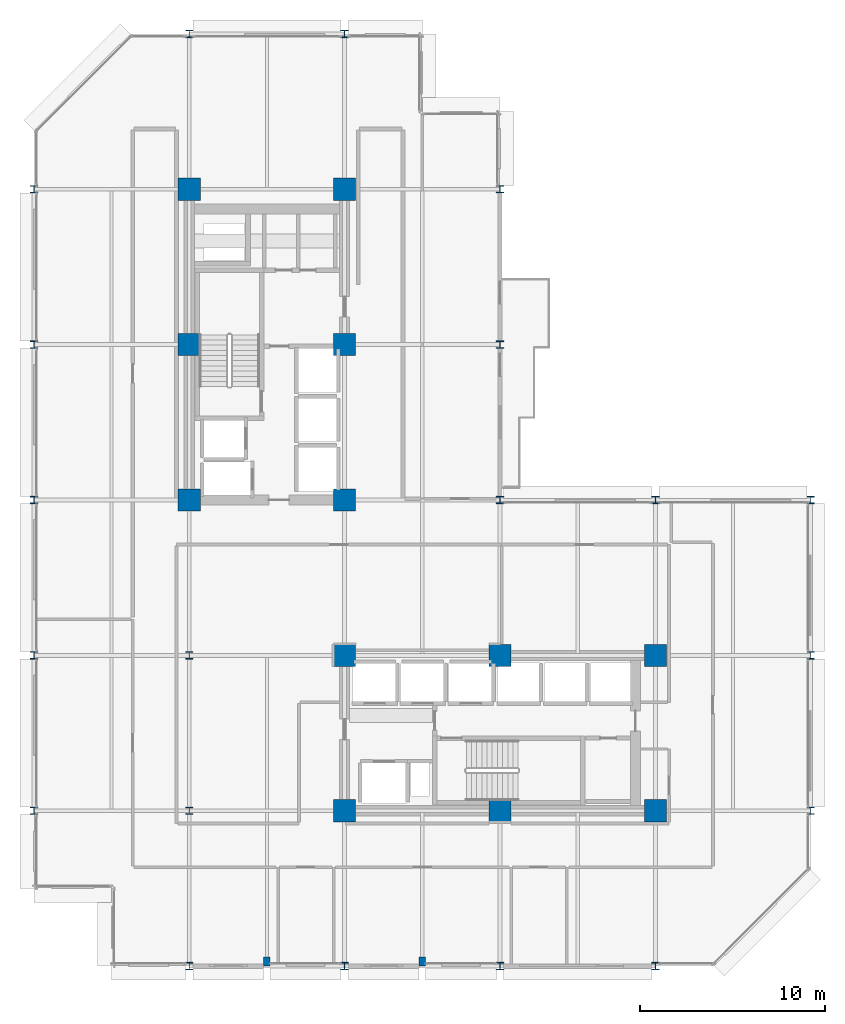
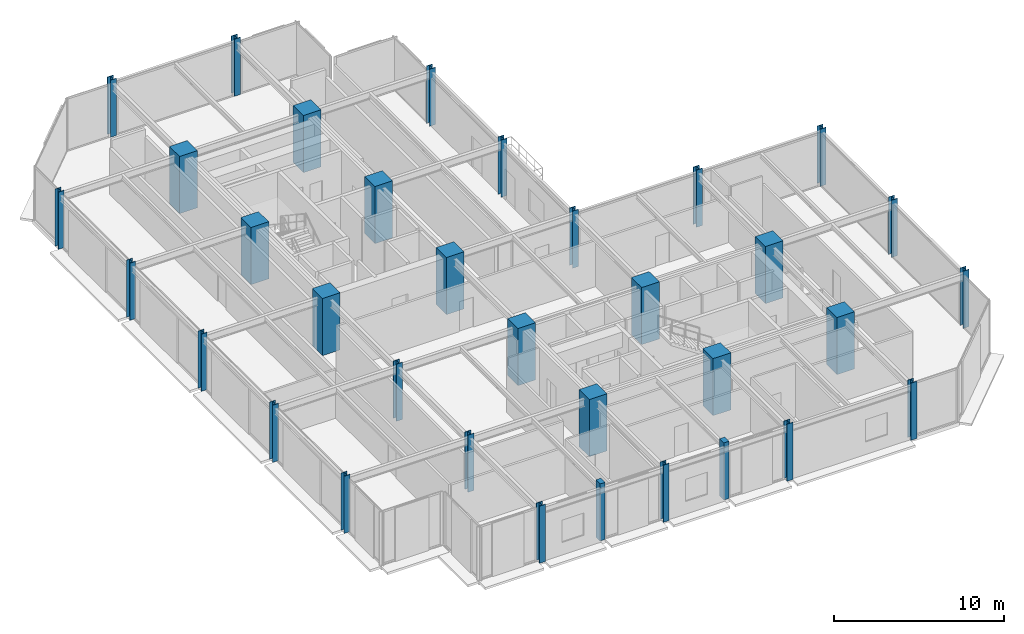
# One storey, part 1 of 30: 34 columns.
"""IFC4 building model written with IfcOpenShell, lengths in metres."""

from ifc_helpers import new_model, si_unit, direction, frame, origin, origin_2d, place, context, subcontext, project, spatial, rectangle, i_section, extrude, material, material_profile, profile_set, type_object, element, save


model = new_model("IFC4")

# Units and contexts
model_context = context("Model", 3, precision=1e-05, world=origin(), true_north=direction((0.0, 1.0)))
body_context = subcontext(model_context, "Body", "Model", "MODEL_VIEW")
ifc_project = project(units=[si_unit("LENGTHUNIT", "METRE"), si_unit("AREAUNIT", "SQUARE_METRE"), si_unit("VOLUMEUNIT", "CUBIC_METRE"), si_unit("PLANEANGLEUNIT", "RADIAN"), si_unit("MASSUNIT", "GRAM", prefix="KILO")], contexts=[model_context])

# Site, building, storey
site_placement = place(None, origin())
site = spatial("IfcSite", under=ifc_project, at=site_placement, CompositionType="ELEMENT")
building_placement = place(site_placement, origin())
building = spatial("IfcBuilding", under=site, at=building_placement, Name="Nerrivon Quay Data Exchange", CompositionType="ELEMENT")
storey_placement = place(building_placement, frame((0.0, 0.0, 117.199951171875)))
storey = spatial("IfcBuildingStorey", under=building, at=storey_placement, Name="L27", CompositionType="ELEMENT", Elevation=117.199951171875)

# Columns
ifc_material_1 = material(Name="Concrete S65 (65 MPa)", Category="concrete")
ifc_material_profile_1 = material_profile(ifc_material_1, rectangle(XDim=1.199951171875, YDim=1.199951171875, at=origin_2d()), Name="RC-COL-1200x1200")
ifc_profile_set_1 = profile_set([ifc_material_profile_1], Name="Concrete S65 (65 MPa)")
column_type_1 = type_object("IfcColumnType", Name="COL-C3-1200", PredefinedType="COLUMN", material=ifc_profile_set_1)
for number, where, z_axis, x_axis, name in (
    (1, (8.39990234375, 25.199951171875, 0.0), (0.0, 0.0, 1.0), (1.0, 0.0, 0.0), "L27 Column (8.4,25.2)"),
    (2, (8.39990234375, 33.60009765625, 0.0), (0.0, 0.0, 1.0), (1.0, 0.0, 0.0), "L27 Column (8.4,33.6)"),
    (3, (8.39990234375, 42.0, 0.0), (0.0, 0.0, 1.0), (1.0, 0.0, 0.0), "L27 Column (8.4,42.0)"),
    (4, (16.800048828125, 8.39990234375, 0.0), (0.0, 0.0, 1.0), (1.0, 0.0, 0.0), "L27 Column (16.8,8.4)"),
    (5, (16.800048828125, 16.800048828125, 0.0), (0.0, 0.0, 1.0), (1.0, 0.0, 0.0), "L27 Column (16.8,16.8)"),
    (6, (16.800048828125, 25.199951171875, 0.0), (0.0, 0.0, 1.0), (1.0, 0.0, 0.0), "L27 Column (16.8,25.2)"),
    (7, (16.800048828125, 33.60009765625, 0.0), (0.0, 0.0, 1.0), (1.0, 0.0, 0.0), "L27 Column (16.8,33.6)"),
    (8, (16.800048828125, 42.0, 0.0), (0.0, 0.0, 1.0), (1.0, 0.0, 0.0), "L27 Column (16.8,42.0)"),
    (9, (25.199951171875, 8.39990234375, 0.0), (0.0, 0.0, 1.0), (1.0, 0.0, 0.0), "L27 Column (25.2,8.4)"),
    (10, (25.199951171875, 16.800048828125, 0.0), (0.0, 0.0, 1.0), (1.0, 0.0, 0.0), "L27 Column (25.2,16.8)"),
    (11, (33.60009765625, 8.39990234375, 0.0), (0.0, 0.0, 1.0), (1.0, 0.0, 0.0), "L27 Column (33.6,8.4)"),
    (12, (33.60009765625, 16.800048828125, 0.0), (0.0, 0.0, 1.0), (1.0, 0.0, 0.0), "L27 Column (33.6,16.8)"),
):
    element("IfcColumn", number, at=place(storey_placement, frame(where, z_axis=z_axis, x_axis=x_axis)), inside=storey, type_object=column_type_1, Name=name, PredefinedType="COLUMN", context=body_context, shape_type="SweptSolid", body=[
        extrude(rectangle(XDim=1.199951171875, YDim=1.199951171875, at=origin_2d()), origin(), (0.0, 0.0, 1.0), 4.10009765625),
    ])
ifc_material_2 = material(Name="Steel Grade 350", Category="steel")
ifc_material_profile_2 = material_profile(ifc_material_2, i_section(OverallWidth=0.39990234375, OverallDepth=0.39990234375, WebThickness=0.02490234375, FlangeThickness=0.0400390625, at=origin_2d()), Name="400WC328")
ifc_profile_set_2 = profile_set([ifc_material_profile_2], Name="Steel Grade 350")
column_type_2 = type_object("IfcColumnType", Name="COL-SC2-400WC", PredefinedType="COLUMN", material=ifc_profile_set_2)
for number, where, z_axis, x_axis, name in (
    (13, (0.0, 8.39990234375, 0.0), (0.0, 0.0, 1.0), (1.0, 0.0, 0.0), "L27 Column (0.0,8.4)"),
    (14, (0.0, 16.800048828125, 0.0), (0.0, 0.0, 1.0), (1.0, 0.0, 0.0), "L27 Column (0.0,16.8)"),
    (15, (0.0, 25.199951171875, 0.0), (0.0, 0.0, 1.0), (1.0, 0.0, 0.0), "L27 Column (0.0,25.2)"),
    (16, (0.0, 33.60009765625, 0.0), (0.0, 0.0, 1.0), (1.0, 0.0, 0.0), "L27 Column (0.0,33.6)"),
    (17, (0.0, 42.0, 0.0), (0.0, 0.0, 1.0), (1.0, 0.0, 0.0), "L27 Column (0.0,42.0)"),
    (18, (8.39990234375, 0.0, 0.0), (0.0, 0.0, 1.0), (1.0, 0.0, 0.0), "L27 Column (8.4,0.0)"),
    (19, (8.39990234375, 8.39990234375, 0.0), (0.0, 0.0, 1.0), (1.0, 0.0, 0.0), "L27 Column (8.4,8.4)"),
    (20, (8.39990234375, 16.800048828125, 0.0), (0.0, 0.0, 1.0), (1.0, 0.0, 0.0), "L27 Column (8.4,16.8)"),
    (21, (8.39990234375, 50.39990234375, 0.0), (0.0, 0.0, 1.0), (1.0, 0.0, 0.0), "L27 Column (8.4,50.4)"),
    (22, (16.800048828125, 0.0, 0.0), (0.0, 0.0, 1.0), (1.0, 0.0, 0.0), "L27 Column (16.8,0.0)"),
    (23, (16.800048828125, 50.39990234375, 0.0), (0.0, 0.0, 1.0), (1.0, 0.0, 0.0), "L27 Column (16.8,50.4)"),
    (24, (25.199951171875, 0.0, 0.0), (0.0, 0.0, 1.0), (1.0, 0.0, 0.0), "L27 Column (25.2,0.0)"),
    (25, (25.199951171875, 25.199951171875, 0.0), (0.0, 0.0, 1.0), (1.0, 0.0, 0.0), "L27 Column (25.2,25.2)"),
    (26, (25.199951171875, 33.60009765625, 0.0), (0.0, 0.0, 1.0), (1.0, 0.0, 0.0), "L27 Column (25.2,33.6)"),
    (27, (25.199951171875, 42.0, 0.0), (0.0, 0.0, 1.0), (1.0, 0.0, 0.0), "L27 Column (25.2,42.0)"),
    (28, (33.60009765625, 0.0, 0.0), (0.0, 0.0, 1.0), (1.0, 0.0, 0.0), "L27 Column (33.6,0.0)"),
    (29, (33.60009765625, 25.199951171875, 0.0), (0.0, 0.0, 1.0), (1.0, 0.0, 0.0), "L27 Column (33.6,25.2)"),
    (30, (42.0, 8.39990234375, 0.0), (0.0, 0.0, 1.0), (1.0, 0.0, 0.0), "L27 Column (42.0,8.4)"),
    (31, (42.0, 16.800048828125, 0.0), (0.0, 0.0, 1.0), (1.0, 0.0, 0.0), "L27 Column (42.0,16.8)"),
    (32, (42.0, 25.199951171875, 0.0), (0.0, 0.0, 1.0), (1.0, 0.0, 0.0), "L27 Column (42.0,25.2)"),
):
    element("IfcColumn", number, at=place(storey_placement, frame(where, z_axis=z_axis, x_axis=x_axis)), inside=storey, type_object=column_type_2, Name=name, PredefinedType="COLUMN", context=body_context, shape_type="SweptSolid", body=[
        extrude(i_section(OverallWidth=0.39990234375, OverallDepth=0.39990234375, WebThickness=0.02490234375, FlangeThickness=0.0400390625, at=origin_2d()), origin(), (0.0, 0.0, 1.0), 4.10009765625),
    ])
ifc_material_3 = material(Name="Concrete N50 (50 MPa)", Category="concrete")
ifc_material_profile_3 = material_profile(ifc_material_3, rectangle(XDim=0.35009765625, YDim=0.5, at=origin_2d()), Name="RC-PIL-500x350")
ifc_profile_set_3 = profile_set([ifc_material_profile_3], Name="Concrete N50 (50 MPa)")
column_type_3 = type_object("IfcColumnType", Name="PIL-P2-500x350", PredefinedType="PILASTER", material=ifc_profile_set_3)
for number, where, z_axis, x_axis, name in (
    (33, (12.60009765625, 0.25, 0.0), (0.0, 0.0, 1.0), (1.0, 0.0, 0.0), "L27 Facade Pilaster (12.6)"),
    (34, (21.0, 0.25, 0.0), (0.0, 0.0, 1.0), (1.0, 0.0, 0.0), "L27 Facade Pilaster (21.0)"),
):
    element("IfcColumn", number, at=place(storey_placement, frame(where, z_axis=z_axis, x_axis=x_axis)), inside=storey, type_object=column_type_3, Name=name, PredefinedType="PILASTER", context=body_context, shape_type="SweptSolid", body=[
        extrude(rectangle(XDim=0.35009765625, YDim=0.5, at=origin_2d()), origin(), (0.0, 0.0, 1.0), 4.10009765625),
    ])

save(model, "model.ifc")
